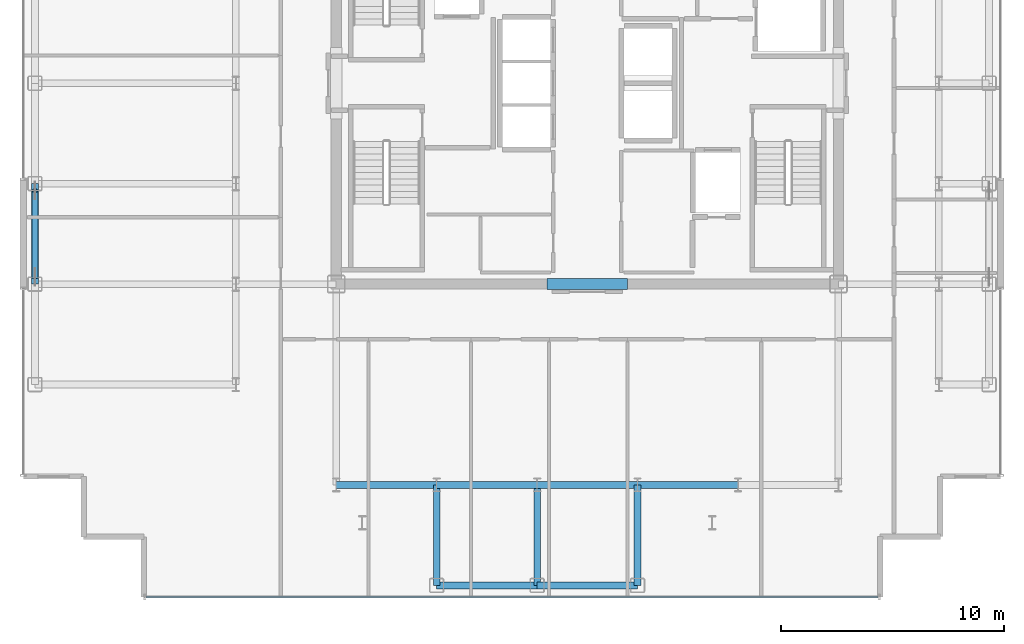
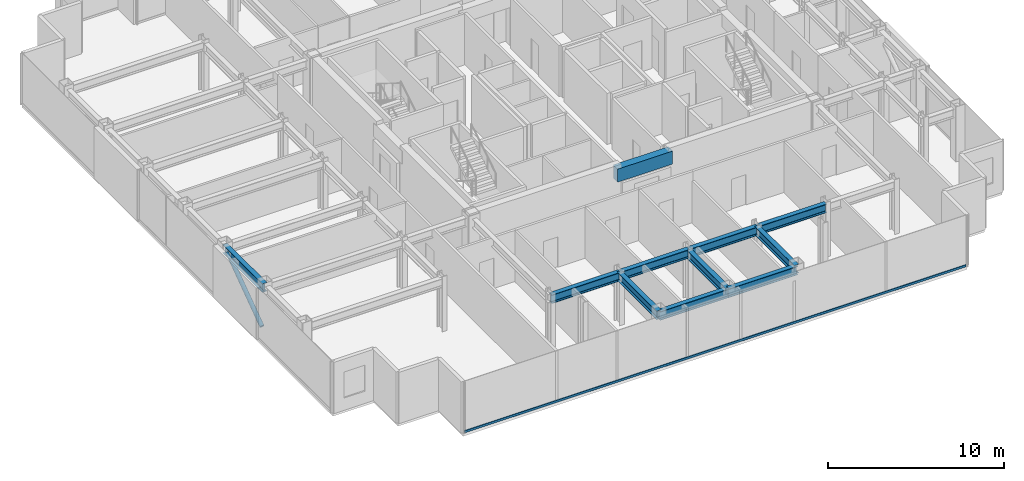
# One storey, part 3 of 16: 11 beams, 2 members, 1 element without a shape of its own.
"""IFC4 building model written with IfcOpenShell, lengths in metres."""

from ifc_helpers import new_model, si_unit, direction, frame, origin, origin_2d, place, context, subcontext, project, spatial, rectangle, hollow_rectangle, hollow_circle, i_section, extrude, source, transform, mapped, material, layer, layer_set, material_profile, profile_set, type_object, element, aggregate, save


model = new_model("IFC4")

# Units and contexts
model_context = context("Model", 3, precision=1e-05, world=origin(), true_north=direction((0.0, 1.0)))
body_context = subcontext(model_context, "Body", "Model", "MODEL_VIEW")
ifc_project = project(units=[si_unit("LENGTHUNIT", "METRE"), si_unit("AREAUNIT", "SQUARE_METRE"), si_unit("VOLUMEUNIT", "CUBIC_METRE"), si_unit("PLANEANGLEUNIT", "RADIAN"), si_unit("MASSUNIT", "GRAM", prefix="KILO")], contexts=[model_context])

# Site, building, storey
site_placement = place(None, origin())
site = spatial("IfcSite", under=ifc_project, at=site_placement, CompositionType="ELEMENT")
building_placement = place(site_placement, origin())
building = spatial("IfcBuilding", under=site, at=building_placement, Name="Nefas-Gora Pilgrimage Tower", CompositionType="ELEMENT")
storey_placement = place(building_placement, frame((0.0, 0.0, 287.39990234375)))
storey = spatial("IfcBuildingStorey", under=building, at=storey_placement, Name="L72", CompositionType="ELEMENT", Elevation=287.39990234375)

# Beams
ifc_material_1 = material(Name="Concrete C50/60", Category="concrete")
ifc_material_profile_1 = material_profile(ifc_material_1, rectangle(XDim=0.5, YDim=0.89990234375, at=origin_2d()), Name="RC 500x900")
ifc_profile_set_1 = profile_set([ifc_material_profile_1], Name="Concrete C50/60")
beam_type_1 = type_object("IfcBeamType", Name="BM-LIN-RC900", PredefinedType="LINTEL", material=ifc_profile_set_1)
shared_shape_1 = source(origin(), body_context, "Body", "SweptSolid", [
    extrude(rectangle(XDim=0.5, YDim=0.89990234375, at=origin_2d()), origin(), (0.0, 0.0, 1.0), 3.60009765625),
])
beam_placement = place(storey_placement, frame((-1.800048828125, -9.0, 3.10009765625), z_axis=(1.0, 0.0, 0.0), x_axis=(0.0, 1.0, 0.0)))
element("IfcBeam", 1, at=beam_placement, inside=storey, type_object=beam_type_1, Name="L72 Core Coupling Lintel Beam S", PredefinedType="LINTEL", context=body_context, shape_type="MappedRepresentation", body=[
    mapped(shared_shape_1, transform((0.0, 0.0, 0.0), x_axis=(1.0, 0.0, 0.0), y_axis=(0.0, 1.0, 0.0), z_axis=(0.0, 0.0, 1.0), scale=1.0)),
])
ifc_material_2 = material(Name="Steel S355", Category="steel")
ifc_material_profile_2 = material_profile(ifc_material_2, i_section(OverallWidth=0.300048828125, OverallDepth=0.60009765625, WebThickness=0.015380859375, FlangeThickness=0.030029296875, FilletRadius=0.027099609375, at=origin_2d()), Name="HEB 600")
ifc_profile_set_2 = profile_set([ifc_material_profile_2], Name="Steel S355")
beam_type_2 = type_object("IfcBeamType", Name="BM-SPN-HEB450", PredefinedType="SPANDREL", material=ifc_profile_set_2)
shared_shape_2 = source(origin(), body_context, "Body", "SweptSolid", [
    extrude(i_section(OverallWidth=0.300048828125, OverallDepth=0.60009765625, WebThickness=0.015380859375, FlangeThickness=0.030029296875, FilletRadius=0.027099609375, at=origin_2d()), origin(), (0.0, 0.0, 1.0), 4.5),
])
for number, where, z_axis, x_axis, name in (
    (2, (-24.75, -9.0, 3.25), (0.0, 1.0, 0.0), (-1.0, 0.0, 0.0), "L72 SP-03 beam"),
    (3, (-6.75, -22.5, 3.25), (1.0, 0.0, 0.0), (0.0, 1.0, 0.0), "L72 SP-03 beam"),
    (4, (-2.25, -22.5, 3.25), (1.0, 0.0, 0.0), (0.0, 1.0, 0.0), "L72 SP-03 beam"),
):
    element("IfcBeam", number, at=place(storey_placement, frame(where, z_axis=z_axis, x_axis=x_axis)), inside=storey, type_object=beam_type_2, Name=name, PredefinedType="SPANDREL", context=body_context, shape_type="MappedRepresentation", body=[
        mapped(shared_shape_2, transform((0.0, 0.0, 0.0), x_axis=(1.0, 0.0, 0.0), y_axis=(0.0, 1.0, 0.0), z_axis=(0.0, 0.0, 1.0), scale=1.0)),
    ])
ifc_material_profile_3 = material_profile(ifc_material_2, i_section(OverallWidth=0.300048828125, OverallDepth=0.60009765625, WebThickness=0.015380859375, FlangeThickness=0.030029296875, FilletRadius=0.027099609375, at=origin_2d()), Name="HEB 600")
ifc_profile_set_3 = profile_set([ifc_material_profile_3], Name="Steel S355")
beam_type_3 = type_object("IfcBeamType", Name="BM-GIR-HEB600", PredefinedType="BEAM", material=ifc_profile_set_3)
shared_shape_3 = source(origin(), body_context, "Body", "SweptSolid", [
    extrude(i_section(OverallWidth=0.300048828125, OverallDepth=0.60009765625, WebThickness=0.015380859375, FlangeThickness=0.030029296875, FilletRadius=0.027099609375, at=origin_2d()), origin(), (0.0, 0.0, 1.0), 4.5),
])
for number, where, z_axis, x_axis, name in (
    (5, (-11.25, -18.0, 3.25), (1.0, 0.0, 0.0), (0.0, 1.0, 0.0), "L72 G-04 beam"),
    (6, (-6.75, -22.5, 3.25), (0.0, 1.0, 0.0), (-1.0, 0.0, 0.0), "L72 G-04 beam"),
    (7, (-6.75, -18.0, 3.25), (1.0, 0.0, 0.0), (0.0, 1.0, 0.0), "L72 G-04 beam"),
    (8, (-2.25, -22.5, 3.25), (0.0, 1.0, 0.0), (-1.0, 0.0, 0.0), "L72 G-04 beam"),
    (9, (-2.25, -18.0, 3.25), (1.0, 0.0, 0.0), (0.0, 1.0, 0.0), "L72 G-04 beam"),
    (10, (2.25, -22.5, 3.25), (0.0, 1.0, 0.0), (-1.0, 0.0, 0.0), "L72 G-04 beam"),
    (11, (2.25, -18.0, 3.25), (1.0, 0.0, 0.0), (0.0, 1.0, 0.0), "L72 G-04 beam"),
):
    element("IfcBeam", number, at=place(storey_placement, frame(where, z_axis=z_axis, x_axis=x_axis)), inside=storey, type_object=beam_type_3, Name=name, PredefinedType="BEAM", context=body_context, shape_type="MappedRepresentation", body=[
        mapped(shared_shape_3, transform((0.0, 0.0, 0.0), x_axis=(1.0, 0.0, 0.0), y_axis=(0.0, 1.0, 0.0), z_axis=(0.0, 0.0, 1.0), scale=1.0)),
    ])

# Member
ifc_material_profile_4 = material_profile(ifc_material_2, hollow_circle(Radius=0.136474609375, WallThickness=0.01611328125, at=origin_2d()), Name="CHS 273x16")
ifc_profile_set_4 = profile_set([ifc_material_profile_4], Name="Steel S355")
member_type_1 = type_object("IfcMemberType", Name="MEM-TUBE-273", PredefinedType="BRACE", material=ifc_profile_set_4)
shared_shape_4 = source(origin(), body_context, "Body", "SweptSolid", [
    extrude(hollow_circle(Radius=0.136474609375, WallThickness=0.01611328125, at=origin_2d()), origin(), (0.0, 0.0, 1.0), 4.763671875),
])
member_1_placement = place(storey_placement, frame((-24.75, -8.68701171875, 0.3740234375), z_axis=(0.0, 0.813255312614, 0.581907034246), x_axis=(-1.0, 0.0, 0.0)))
element("IfcMember", 12, at=member_1_placement, inside=storey, type_object=member_type_1, Name="L72 Perimeter Tube Diagonal Brace W1", PredefinedType="BRACE", context=body_context, shape_type="MappedRepresentation", body=[
    mapped(shared_shape_4, transform((0.0, 0.0, 0.0), x_axis=(1.0, 0.0, 0.0), y_axis=(0.0, 1.0, 0.0), z_axis=(0.0, 0.0, 1.0), scale=1.0)),
])

# Curtain wall, member
ifc_material_3 = material(Name="Dark ceramic-fritted solar-control aluminium-glass curtain wall", Category="aluminium")
ifc_layer = layer(ifc_material_3, 0.219970703125)
ifc_layer_set = layer_set([ifc_layer], Name="Dark ceramic-fritted solar-control aluminium-glass curtain wall")
curtain_wall_type = type_object("IfcCurtainWallType", Name="CW-SYS-4", PredefinedType="NOTDEFINED", material=ifc_layer_set)
curtain_wall_placement = place(storey_placement, origin())
curtain_wall = element("IfcCurtainWall", 13, at=curtain_wall_placement, inside=storey, type_object=curtain_wall_type, Name="L72 Unitised Curtain Wall CW4", PredefinedType="NOTDEFINED")
ifc_material_4 = material(Name="Anodised architectural aluminium", Category="aluminium")
ifc_material_profile_5 = material_profile(ifc_material_4, hollow_rectangle(XDim=0.080078125, YDim=0.159912109375, WallThickness=0.00439453125, InnerFilletRadius=0.00439453125, OuterFilletRadius=0.009033203125, at=origin_2d()), Name="ALU TRANSOM 80x160")
ifc_profile_set_5 = profile_set([ifc_material_profile_5], Name="Anodised architectural aluminium")
member_type_2 = type_object("IfcMemberType", Name="CWM-TRN-4", PredefinedType="USERDEFINED", material=ifc_profile_set_5)
shared_shape_5 = source(origin(), body_context, "Body", "SweptSolid", [
    extrude(hollow_rectangle(XDim=0.080078125, YDim=0.159912109375, WallThickness=0.00439453125, InnerFilletRadius=0.00439453125, OuterFilletRadius=0.009033203125, at=origin_2d()), origin(), (0.0, 0.0, 1.0), 32.81005859375),
])
member_2_placement = place(storey_placement, frame((-19.780029296875, -23.02001953125, 0.050048828125), z_axis=(1.0, 0.0, 0.0), x_axis=(0.0, 1.0, 0.0)))
member_2 = element("IfcMember", 14, at=member_2_placement, type_object=member_type_2, Name="CW4 Spandrel Transom", ObjectType="TRANSOM", PredefinedType="USERDEFINED", context=body_context, shape_type="MappedRepresentation", body=[
    mapped(shared_shape_5, transform((0.0, 0.0, 0.0), x_axis=(1.0, 0.0, 0.0), y_axis=(0.0, 1.0, 0.0), z_axis=(0.0, 0.0, 1.0), scale=1.0)),
])
aggregate(curtain_wall, [member_2])

save(model, "model.ifc")
